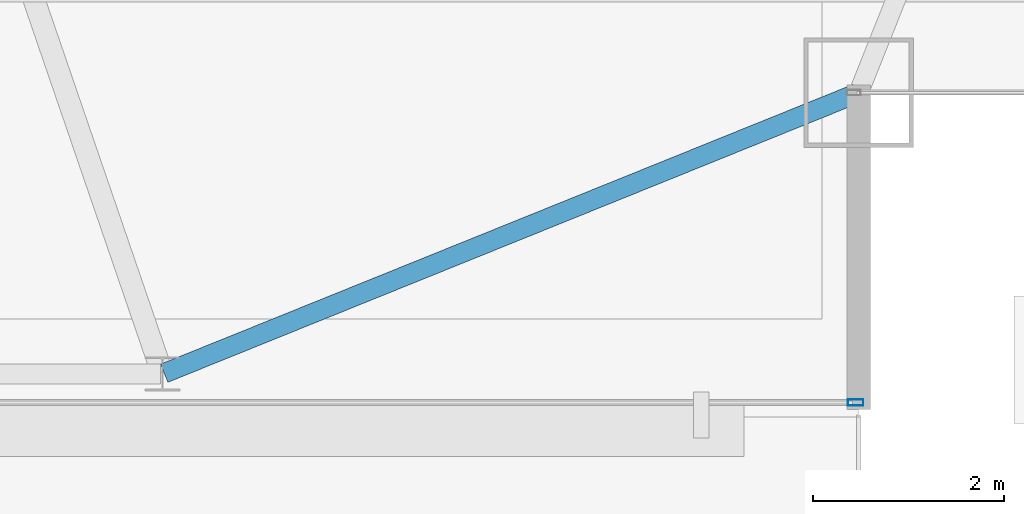
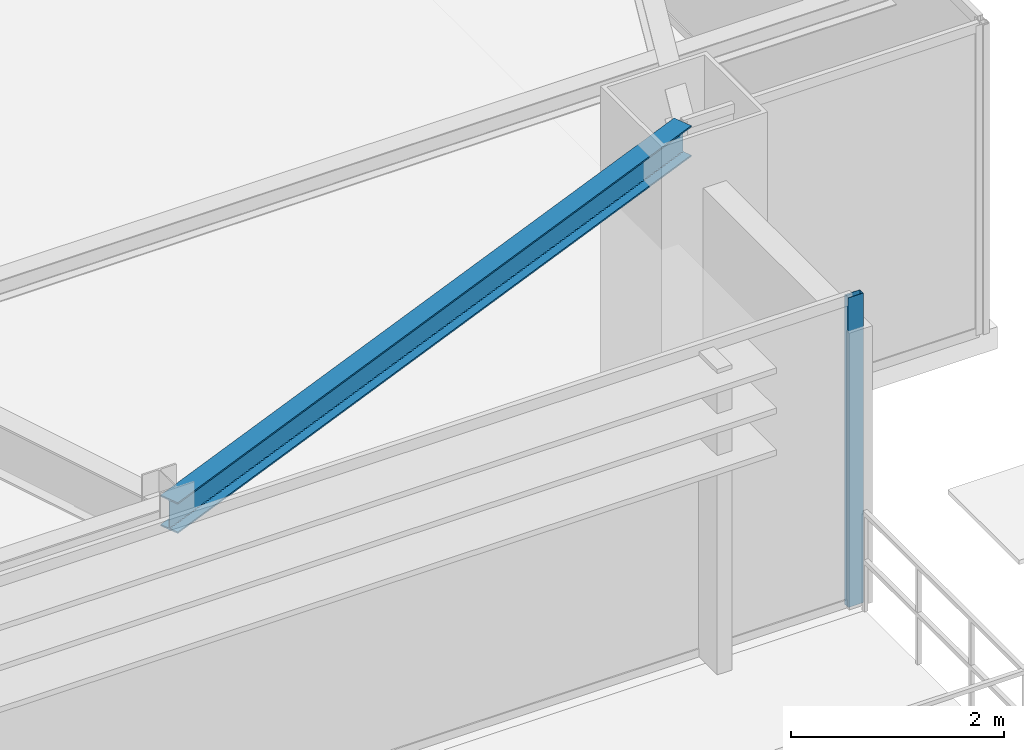
# One storey, part 14 of 33: 1 beam, 1 member, 1 element without a shape of its own.
"""IFC4 building model written with IfcOpenShell, lengths in metres."""

from ifc_helpers import new_model, si_unit, direction, frame, origin, origin_2d, place, context, subcontext, project, spatial, hollow_rectangle, i_section, extrude, source, transform, mapped, material, layer, layer_set, material_profile, profile_set, type_object, type_shapes, element, aggregate, save


model = new_model("IFC4")

# Units and contexts
model_context = context("Model", 3, precision=1e-05, world=origin(), true_north=direction((0.0, 1.0)))
body_context = subcontext(model_context, "Body", "Model", "MODEL_VIEW")
ifc_project = project(units=[si_unit("LENGTHUNIT", "METRE"), si_unit("AREAUNIT", "SQUARE_METRE"), si_unit("VOLUMEUNIT", "CUBIC_METRE"), si_unit("PLANEANGLEUNIT", "RADIAN"), si_unit("MASSUNIT", "GRAM", prefix="KILO")], contexts=[model_context])

# Site, building, storey
site_placement = place(None, origin())
site = spatial("IfcSite", under=ifc_project, at=site_placement, CompositionType="ELEMENT")
building_placement = place(site_placement, origin())
building = spatial("IfcBuilding", under=site, at=building_placement, Name="Varnel Quay Broadcast Tower", CompositionType="ELEMENT")
storey_placement = place(building_placement, frame((0.0, 0.0, 199.800048828125)))
storey = spatial("IfcBuildingStorey", under=building, at=storey_placement, Name="L49", CompositionType="ELEMENT", Elevation=199.800048828125)

# Beam
ifc_material_1 = material(Name="Structural Steel CSA G40.21 350W", Category="steel")
ifc_material_profile_1 = material_profile(ifc_material_1, i_section(OverallWidth=0.205078125, OverallDepth=0.35400390625, WebThickness=0.009521484375, FlangeThickness=0.016845703125, FilletRadius=0.012939453125, at=origin_2d()), Name="W360X79")
ifc_profile_set_1 = profile_set([ifc_material_profile_1], Name="Structural Steel CSA G40.21 350W")
beam_type = type_object("IfcBeamType", Name="Beam_W360X79", PredefinedType="SPANDREL", material=ifc_profile_set_1)
shared_shape_1 = source(origin(), body_context, "Body", "SweptSolid", [
    extrude(i_section(OverallWidth=0.205078125, OverallDepth=0.35400390625, WebThickness=0.009521484375, FlangeThickness=0.016845703125, FilletRadius=0.012939453125, at=origin_2d()), origin(), (0.0, 0.0, 1.0), 7.83349609375),
])
type_shapes(beam_type, [shared_shape_1])
beam_placement = place(storey_placement, frame((47.818603515625, 10.657470703125, 3.373046875), z_axis=(0.927155449606, 0.374676890489, 0.0), x_axis=(-0.374676890489, 0.927155449606, 0.0)))
element("IfcBeam", 1, at=beam_placement, inside=storey, type_object=beam_type, Name="L49 South Spandrel TC-S4-MC-SE", PredefinedType="SPANDREL", context=body_context, shape_type="MappedRepresentation", body=[
    mapped(shared_shape_1, transform((0.0, 0.0, 0.0), x_axis=(1.0, 0.0, 0.0), y_axis=(0.0, 1.0, 0.0), z_axis=(0.0, 0.0, 1.0), scale=1.0)),
])

# Curtain wall, member
ifc_material_2 = material(Name="Anodised Bronze Aluminium 6063-T6", Category="aluminium")
ifc_layer = layer(ifc_material_2, 0.18994140625, Name="Anodised Bronze Aluminium 6063-T6")
ifc_layer_set = layer_set([ifc_layer], Name="Anodised Bronze Aluminium 6063-T6")
curtain_wall_type = type_object("IfcCurtainWallType", Name="CW_UpperTower", PredefinedType="NOTDEFINED", material=ifc_layer_set)
curtain_wall_placement = place(storey_placement, origin())
curtain_wall = element("IfcCurtainWall", 2, at=curtain_wall_placement, inside=storey, type_object=curtain_wall_type, Name="L49 South Unitised Curtain Wall 2", PredefinedType="NOTDEFINED")
ifc_material_profile_2 = material_profile(ifc_material_2, hollow_rectangle(XDim=0.06494140625, YDim=0.1650390625, WallThickness=0.00341796875, at=origin_2d()), Name="ALU65X165X3.5")
ifc_profile_set_2 = profile_set([ifc_material_profile_2], Name="Anodised Bronze Aluminium 6063-T6")
member_type = type_object("IfcMemberType", Name="Mull_CWS-03", PredefinedType="MULLION", material=ifc_profile_set_2)
shared_shape_2 = source(origin(), body_context, "Body", "SweptSolid", [
    extrude(hollow_rectangle(XDim=0.06494140625, YDim=0.1650390625, WallThickness=0.00341796875, at=origin_2d()), origin(), (0.0, 0.0, 1.0), 3.550048828125),
])
type_shapes(member_type, [shared_shape_2])
member_placement = place(storey_placement, frame((55.0673828125, 10.35009765625, 0.0), z_axis=(0.0, 0.0, 1.0), x_axis=(0.0, 1.0, 0.0)))
member = element("IfcMember", 3, at=member_placement, type_object=member_type, Name="CWS-03 mullion 3", PredefinedType="MULLION", context=body_context, shape_type="MappedRepresentation", body=[
    mapped(shared_shape_2, transform((0.0, 0.0, 0.0), x_axis=(1.0, 0.0, 0.0), y_axis=(0.0, 1.0, 0.0), z_axis=(0.0, 0.0, 1.0), scale=1.0)),
])
aggregate(curtain_wall, [member])

save(model, "model.ifc")
